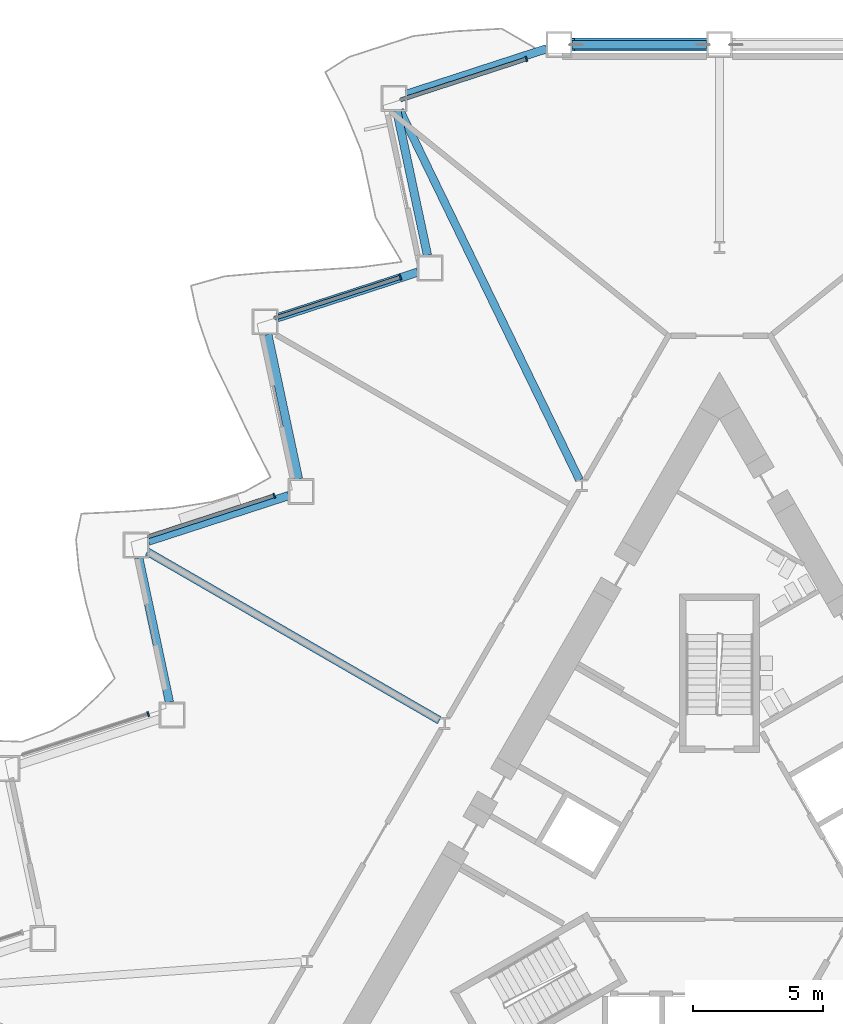
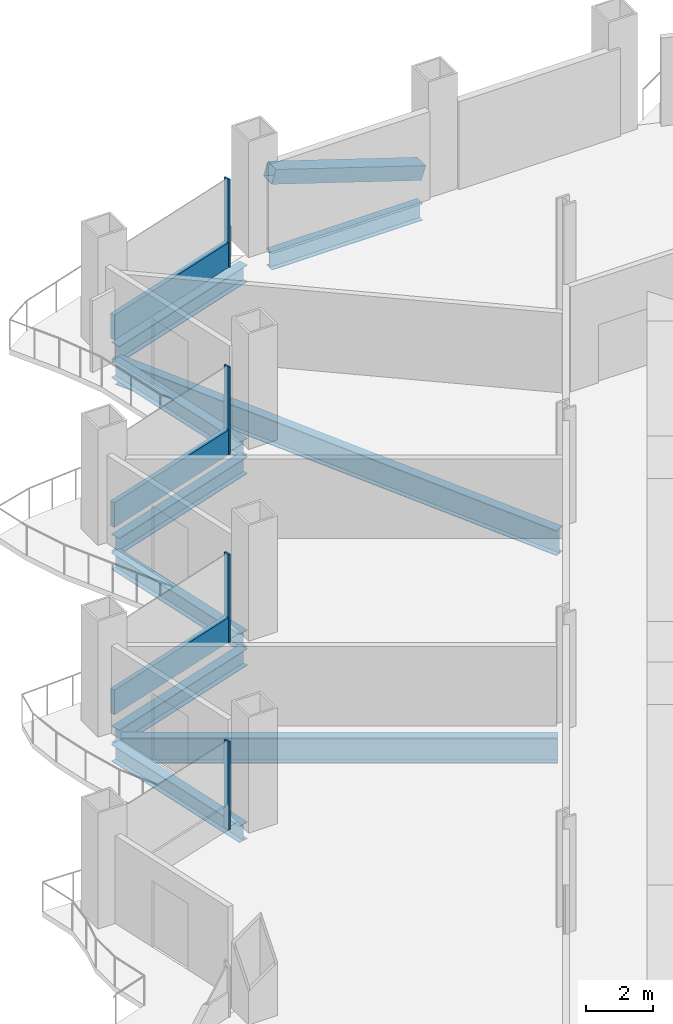
# One storey, part 6 of 21: 9 beams, 8 members, 4 elements without a shape of their own.
"""IFC4 building model written with IfcOpenShell, lengths in metres."""

from ifc_helpers import new_model, si_unit, direction, frame, origin, origin_2d, place, context, subcontext, project, spatial, rectangle, hollow_rectangle, i_section, extrude, material, layer, layer_set, material_profile, profile_set, type_object, element, aggregate, save


model = new_model("IFC4")

# Units and contexts
model_context = context("Model", 3, precision=1e-05, world=origin(), true_north=direction((0.0, 1.0)))
body_context = subcontext(model_context, "Body", "Model", "MODEL_VIEW")
ifc_project = project(units=[si_unit("LENGTHUNIT", "METRE"), si_unit("AREAUNIT", "SQUARE_METRE"), si_unit("VOLUMEUNIT", "CUBIC_METRE"), si_unit("PLANEANGLEUNIT", "RADIAN"), si_unit("MASSUNIT", "GRAM", prefix="KILO")], contexts=[model_context])

# Site, building, storey
site_placement = place(None, origin())
site = spatial("IfcSite", under=ifc_project, at=site_placement, CompositionType="ELEMENT")
building_placement = place(site_placement, origin())
building = spatial("IfcBuilding", under=site, at=building_placement, Name="Cormorant Prow Tower", CompositionType="ELEMENT")
storey_placement = place(building_placement, frame((0.0, 0.0, 46.800048828125)))
storey = spatial("IfcBuildingStorey", under=building, at=storey_placement, Name="L09", CompositionType="ELEMENT", Elevation=46.800048828125)

# Member
ifc_material_1 = material(Name="Structural steel ASTM A500 Gr C", Category="steel")
ifc_material_profile_1 = material_profile(ifc_material_1, hollow_rectangle(XDim=0.508056640625, YDim=0.508056640625, WallThickness=0.014892578125, at=origin_2d()), Name="HSS20x20x5/8")
ifc_profile_set_1 = profile_set([ifc_material_profile_1], Name="Structural steel ASTM A500 Gr C")
member_type_1 = type_object("IfcMemberType", Name="Chamfer brace HSS20x20x5/8", PredefinedType="BRACE", material=ifc_profile_set_1)
member_1_placement = place(storey_placement, frame((-0.518798828125, 32.233642578125, 0.76708984375), z_axis=(-0.951761092368, 0.0, 0.306840061033), x_axis=(0.0, -1.0, 0.0)))
element("IfcMember", 1, at=member_1_placement, inside=storey, type_object=member_type_1, Name="Chamfer brace BR1 at N01 L09", PredefinedType="BRACE", context=body_context, shape_type="SweptSolid", body=[
    extrude(hollow_rectangle(XDim=0.508056640625, YDim=0.508056640625, WallThickness=0.014892578125, at=origin_2d()), origin(), (0.0, 0.0, 1.0), 5.39208984375),
])

# Curtain wall, member
ifc_material_2 = material(Name="Aluminium 6063-T6", Category="aluminium")
ifc_layer = layer(ifc_material_2, 0.199951171875)
ifc_layer_set = layer_set([ifc_layer], Name="Aluminium 6063-T6")
curtain_wall_type = type_object("IfcCurtainWallType", Name="Office unitised curtain wall 200", PredefinedType="NOTDEFINED", material=ifc_layer_set)
curtain_wall_1_placement = place(storey_placement, origin())
curtain_wall_1 = element("IfcCurtainWall", 2, at=curtain_wall_1_placement, inside=storey, type_object=curtain_wall_type, Name="Office curtain wall WNW00", PredefinedType="NOTDEFINED")
ifc_material_3 = material(Name="Aluminium 6063-T6", Category="aluminium")
ifc_material_profile_2 = material_profile(ifc_material_3, rectangle(XDim=0.199951171875, YDim=0.06005859375, at=origin_2d()), Name="Office mullion 60x200")
ifc_profile_set_2 = profile_set([ifc_material_profile_2], Name="Aluminium 6063-T6")
member_type_2 = type_object("IfcMemberType", Name="Office mullion 60x200", PredefinedType="MULLION", material=ifc_profile_set_2)
member_2_placement = place(storey_placement, frame((-7.433837890625, 31.6796875, 0.0), z_axis=(0.0, 0.0, 1.0), x_axis=(0.309016937009, -0.951056534935, 0.0)))
member_2 = element("IfcMember", 3, at=member_2_placement, type_object=member_type_2, Name="Office mullion WNW00", PredefinedType="MULLION", context=body_context, shape_type="SweptSolid", body=[
    extrude(rectangle(XDim=0.199951171875, YDim=0.06005859375, at=origin_2d()), origin(), (0.0, 0.0, 1.0), 3.18896484375),
])

curtain_wall_2_placement = place(storey_placement, origin())
curtain_wall_2 = element("IfcCurtainWall", 4, at=curtain_wall_2_placement, inside=storey, type_object=curtain_wall_type, Name="Office curtain wall WNW02", PredefinedType="NOTDEFINED")
member_3_placement = place(storey_placement, frame((-12.286376953125, 23.274658203125, 0.0), z_axis=(0.0, 0.0, 1.0), x_axis=(0.309016937009, -0.951056534935, 0.0)))
member_3 = element("IfcMember", 5, at=member_3_placement, type_object=member_type_2, Name="Office mullion WNW02", PredefinedType="MULLION", context=body_context, shape_type="SweptSolid", body=[
    extrude(rectangle(XDim=0.199951171875, YDim=0.06005859375, at=origin_2d()), origin(), (0.0, 0.0, 1.0), 3.18896484375),
])

curtain_wall_3_placement = place(storey_placement, origin())
curtain_wall_3 = element("IfcCurtainWall", 6, at=curtain_wall_3_placement, inside=storey, type_object=curtain_wall_type, Name="Office curtain wall WNW04", PredefinedType="NOTDEFINED")
member_4_placement = place(storey_placement, frame((-17.13916015625, 14.86962890625, 0.0), z_axis=(0.0, 0.0, 1.0), x_axis=(0.309016892008, -0.951056549556, 0.0)))
member_4 = element("IfcMember", 7, at=member_4_placement, type_object=member_type_2, Name="Office mullion WNW04", PredefinedType="MULLION", context=body_context, shape_type="SweptSolid", body=[
    extrude(rectangle(XDim=0.199951171875, YDim=0.06005859375, at=origin_2d()), origin(), (0.0, 0.0, 1.0), 3.18896484375),
])

curtain_wall_4_placement = place(storey_placement, origin())
curtain_wall_4 = element("IfcCurtainWall", 8, at=curtain_wall_4_placement, inside=storey, type_object=curtain_wall_type, Name="Office curtain wall WNW06", PredefinedType="NOTDEFINED")
member_5_placement = place(storey_placement, frame((-21.99169921875, 6.464599609375, 0.0), z_axis=(0.0, 0.0, 1.0), x_axis=(0.309016937009, -0.951056534935, 0.0)))
member_5 = element("IfcMember", 9, at=member_5_placement, type_object=member_type_2, Name="Office mullion WNW06", PredefinedType="MULLION", context=body_context, shape_type="SweptSolid", body=[
    extrude(rectangle(XDim=0.199951171875, YDim=0.06005859375, at=origin_2d()), origin(), (0.0, 0.0, 1.0), 3.18896484375),
])
aggregate(curtain_wall_4, [member_5])

# Member
ifc_material_4 = material(Name="Terracotta", Category="masonry")
ifc_material_profile_3 = material_profile(ifc_material_4, rectangle(XDim=0.159912109375, YDim=0.89990234375, at=origin_2d()), Name="Office terracotta spandrel rail 160x900")
ifc_profile_set_3 = profile_set([ifc_material_profile_3], Name="Terracotta")
member_type_3 = type_object("IfcMemberType", Name="Office terracotta spandrel rail 160x900", PredefinedType="USERDEFINED", material=ifc_profile_set_3)
member_6_placement = place(storey_placement, frame((-7.46240234375, 31.67041015625, 0.449951171875), z_axis=(-0.951061701222, -0.309001036355, 0.0), x_axis=(0.309001036355, -0.951061701222, 0.0)))
member_6 = element("IfcMember", 10, at=member_6_placement, type_object=member_type_3, Name="Office spandrel rail WNW00", ObjectType="TRANSOM", PredefinedType="USERDEFINED", context=body_context, shape_type="SweptSolid", body=[
    extrude(rectangle(XDim=0.159912109375, YDim=0.89990234375, at=origin_2d()), origin(), (0.0, 0.0, 1.0), 5.063720703125),
])

aggregate(curtain_wall_1, [member_2, member_6])

member_7_placement = place(storey_placement, frame((-12.31494140625, 23.265380859375, 0.449951171875), z_axis=(-0.95106630442, -0.308986868, 0.0), x_axis=(0.308986868, -0.95106630442, 0.0)))
member_7 = element("IfcMember", 11, at=member_7_placement, type_object=member_type_3, Name="Office spandrel rail WNW02", ObjectType="TRANSOM", PredefinedType="USERDEFINED", context=body_context, shape_type="SweptSolid", body=[
    extrude(rectangle(XDim=0.159912109375, YDim=0.89990234375, at=origin_2d()), origin(), (0.0, 0.0, 1.0), 5.06396484375),
])

aggregate(curtain_wall_2, [member_3, member_7])

member_8_placement = place(storey_placement, frame((-17.167724609375, 14.8603515625, 0.449951171875), z_axis=(-0.951061701222, -0.309001036355, 0.0), x_axis=(0.309001036355, -0.951061701222, 0.0)))
member_8 = element("IfcMember", 12, at=member_8_placement, type_object=member_type_3, Name="Office spandrel rail WNW04", ObjectType="TRANSOM", PredefinedType="USERDEFINED", context=body_context, shape_type="SweptSolid", body=[
    extrude(rectangle(XDim=0.159912109375, YDim=0.89990234375, at=origin_2d()), origin(), (0.0, 0.0, 1.0), 5.063720703125),
])

aggregate(curtain_wall_3, [member_4, member_8])

# Beams
ifc_material_5 = material(Name="Structural steel ASTM A992 Gr 50", Category="steel")
ifc_material_profile_4 = material_profile(ifc_material_5, i_section(OverallWidth=0.3046875, OverallDepth=0.914794921875, WebThickness=0.0166015625, FlangeThickness=0.02587890625, at=origin_2d()), Name="W36x160")
ifc_profile_set_4 = profile_set([ifc_material_profile_4], Name="Structural steel ASTM A992 Gr 50")
beam_type_1 = type_object("IfcBeamType", Name="Radial floor beam W36x160", PredefinedType="BEAM", material=ifc_profile_set_4)
beam_1_placement = place(storey_placement, frame((-5.390625, 15.4775390625, -0.857421875), z_axis=(-0.436839436813, 0.899539496879, 0.0), x_axis=(-0.899539496879, -0.436839436813, 0.0)))
element("IfcBeam", 13, at=beam_1_placement, inside=storey, type_object=beam_type_1, Name="Radial floor beam FB1 2 L09", PredefinedType="BEAM", context=body_context, shape_type="SweptSolid", body=[
    extrude(i_section(OverallWidth=0.3046875, OverallDepth=0.914794921875, WebThickness=0.0166015625, FlangeThickness=0.02587890625, at=origin_2d()), origin(), (0.0, 0.0, 1.0), 15.83203125),
])
beam_2_placement = place(storey_placement, frame((-10.779541015625, 6.2236328125, -0.857421875), z_axis=(-0.866030278318, 0.499991556966, 0.0), x_axis=(-0.499991556966, -0.866030278318, 0.0)))
element("IfcBeam", 14, at=beam_2_placement, inside=storey, type_object=beam_type_1, Name="Radial floor beam FB1 3 L09", PredefinedType="BEAM", context=body_context, shape_type="SweptSolid", body=[
    extrude(i_section(OverallWidth=0.3046875, OverallDepth=0.914794921875, WebThickness=0.0166015625, FlangeThickness=0.02587890625, at=origin_2d()), origin(), (0.0, 0.0, 1.0), 12.984130859375),
])
ifc_material_6 = material(Name="Structural steel ASTM A992 Gr 50", Category="steel")
ifc_material_profile_5 = material_profile(ifc_material_6, i_section(OverallWidth=0.32373046875, OverallDepth=0.611083984375, WebThickness=0.0126953125, FlangeThickness=0.01904296875, at=origin_2d()), Name="W24x104")
ifc_profile_set_5 = profile_set([ifc_material_profile_5], Name="Structural steel ASTM A992 Gr 50")
beam_type_2 = type_object("IfcBeamType", Name="Spandrel beam W24x104", PredefinedType="SPANDREL", material=ifc_profile_set_5)
beam_3_placement = place(storey_placement, frame((-0.5, 32.233642578125, -0.70556640625), z_axis=(-1.0, 0.0, 0.0), x_axis=(0.0, -1.0, 0.0)))
element("IfcBeam", 15, at=beam_3_placement, inside=storey, type_object=beam_type_2, Name="Spandrel beam SB1 N01-WNW00 L09", PredefinedType="SPANDREL", context=body_context, shape_type="SweptSolid", body=[
    extrude(i_section(OverallWidth=0.32373046875, OverallDepth=0.611083984375, WebThickness=0.0126953125, FlangeThickness=0.01904296875, at=origin_2d()), origin(), (0.0, 0.0, 1.0), 5.169677734375),
])
beam_4_placement = place(storey_placement, frame((-6.645263671875, 32.0791015625, -0.70556640625), z_axis=(-0.951061849722, -0.309000579292, 0.0), x_axis=(0.309000579292, -0.951061849722, 0.0)))
element("IfcBeam", 16, at=beam_4_placement, inside=storey, type_object=beam_type_2, Name="Spandrel beam SB1 WNW00-WNW01 L09", PredefinedType="SPANDREL", context=body_context, shape_type="SweptSolid", body=[
    extrude(i_section(OverallWidth=0.32373046875, OverallDepth=0.611083984375, WebThickness=0.0126953125, FlangeThickness=0.01904296875, at=origin_2d()), origin(), (0.0, 0.0, 1.0), 5.682373046875),
])
beam_5_placement = place(storey_placement, frame((-12.421142578125, 29.6796875, -0.70556640625), z_axis=(0.207900376723, -0.97815000555, 0.0), x_axis=(0.97815000555, 0.207900376723, 0.0)))
element("IfcBeam", 17, at=beam_5_placement, inside=storey, type_object=beam_type_2, Name="Spandrel beam SB1 WNW01-WNW02 L09", PredefinedType="SPANDREL", context=body_context, shape_type="SweptSolid", body=[
    extrude(i_section(OverallWidth=0.32373046875, OverallDepth=0.611083984375, WebThickness=0.0126953125, FlangeThickness=0.01904296875, at=origin_2d()), origin(), (0.0, 0.0, 1.0), 5.6826171875),
])
beam_6_placement = place(storey_placement, frame((-11.611328125, 23.477783203125, -0.70556640625), z_axis=(-0.951049222751, -0.309039440696, 0.0), x_axis=(0.309039440696, -0.951049222751, 0.0)))
element("IfcBeam", 18, at=beam_6_placement, inside=storey, type_object=beam_type_2, Name="Spandrel beam SB1 WNW02-WNW03 L09", PredefinedType="SPANDREL", context=body_context, shape_type="SweptSolid", body=[
    extrude(i_section(OverallWidth=0.32373046875, OverallDepth=0.611083984375, WebThickness=0.0126953125, FlangeThickness=0.01904296875, at=origin_2d()), origin(), (0.0, 0.0, 1.0), 5.682373046875),
])
beam_7_placement = place(storey_placement, frame((-17.38720703125, 21.078125, -0.70556640625), z_axis=(0.207900376723, -0.97815000555, 0.0), x_axis=(0.97815000555, 0.207900376723, 0.0)))
element("IfcBeam", 19, at=beam_7_placement, inside=storey, type_object=beam_type_2, Name="Spandrel beam SB1 WNW03-WNW04 L09", PredefinedType="SPANDREL", context=body_context, shape_type="SweptSolid", body=[
    extrude(i_section(OverallWidth=0.32373046875, OverallDepth=0.611083984375, WebThickness=0.0126953125, FlangeThickness=0.01904296875, at=origin_2d()), origin(), (0.0, 0.0, 1.0), 5.6826171875),
])
beam_8_placement = place(storey_placement, frame((-16.577392578125, 14.876220703125, -0.70556640625), z_axis=(-0.951049222751, -0.309039440696, 0.0), x_axis=(0.309039440696, -0.951049222751, 0.0)))
element("IfcBeam", 20, at=beam_8_placement, inside=storey, type_object=beam_type_2, Name="Spandrel beam SB1 WNW04-WNW05 L09", PredefinedType="SPANDREL", context=body_context, shape_type="SweptSolid", body=[
    extrude(i_section(OverallWidth=0.32373046875, OverallDepth=0.611083984375, WebThickness=0.0126953125, FlangeThickness=0.01904296875, at=origin_2d()), origin(), (0.0, 0.0, 1.0), 5.682373046875),
])
beam_9_placement = place(storey_placement, frame((-22.353271484375, 12.4765625, -0.70556640625), z_axis=(0.207900376723, -0.97815000555, 0.0), x_axis=(0.97815000555, 0.207900376723, 0.0)))
element("IfcBeam", 21, at=beam_9_placement, inside=storey, type_object=beam_type_2, Name="Spandrel beam SB1 WNW05-WNW06 L09", PredefinedType="SPANDREL", context=body_context, shape_type="SweptSolid", body=[
    extrude(i_section(OverallWidth=0.32373046875, OverallDepth=0.611083984375, WebThickness=0.0126953125, FlangeThickness=0.01904296875, at=origin_2d()), origin(), (0.0, 0.0, 1.0), 5.6826171875),
])

save(model, "model.ifc")
